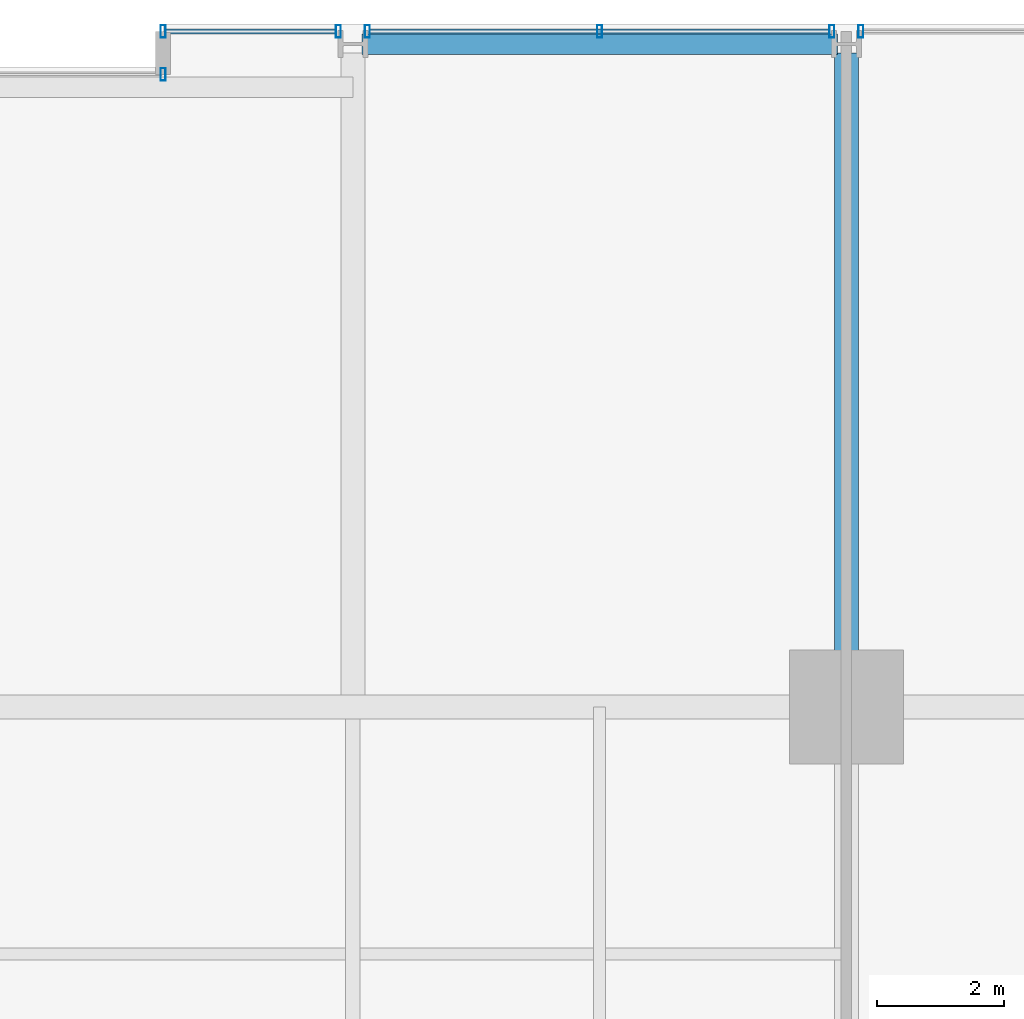
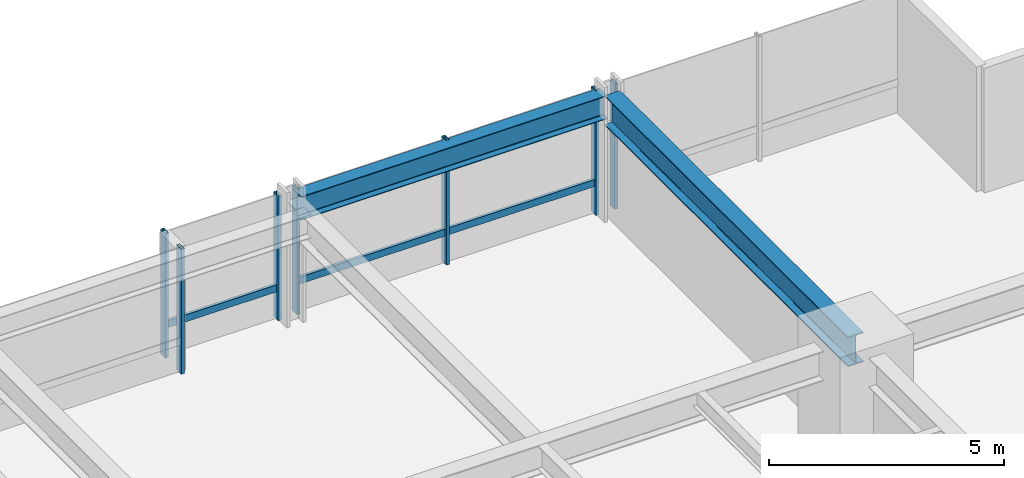
# One storey, part 27 of 37: 9 members, 2 beams, 4 elements without a shape of their own.
"""IFC4 building model written with IfcOpenShell, lengths in metres."""

from ifc_helpers import new_model, si_unit, direction, frame, origin, origin_2d, place, context, subcontext, project, spatial, hollow_rectangle, i_section, extrude, material, layer, layer_set, material_profile, profile_set, type_object, element, aggregate, save


model = new_model("IFC4")

# Units and contexts
model_context = context("Model", 3, precision=1e-05, world=origin(), true_north=direction((0.0, 1.0)))
body_context = subcontext(model_context, "Body", "Model", "MODEL_VIEW")
ifc_project = project(units=[si_unit("LENGTHUNIT", "METRE"), si_unit("AREAUNIT", "SQUARE_METRE"), si_unit("VOLUMEUNIT", "CUBIC_METRE"), si_unit("PLANEANGLEUNIT", "RADIAN"), si_unit("MASSUNIT", "GRAM", prefix="KILO")], contexts=[model_context])

# Site, building, storey
site_placement = place(None, origin())
site = spatial("IfcSite", under=ifc_project, at=site_placement, CompositionType="ELEMENT")
building_placement = place(site_placement, origin())
building = spatial("IfcBuilding", under=site, at=building_placement, Name="Drelvath Grand Hotel", CompositionType="ELEMENT")
storey_placement = place(building_placement, frame((0.0, 0.0, 75.199951171875)))
storey = spatial("IfcBuildingStorey", under=building, at=storey_placement, Name="L18", CompositionType="ELEMENT", Elevation=75.199951171875)

# Curtain wall, member
ifc_material_1 = material(Name="Warm Bronze Anodised Aluminium Frame", Category="aluminium")
ifc_layer = layer(ifc_material_1, 0.199951171875)
ifc_layer_set = layer_set([ifc_layer], Name="Warm Bronze Anodised Aluminium Frame")
curtain_wall_type = type_object("IfcCurtainWallType", Name="Stick Curtain Wall CW-02 Warm Bronze Low-Rise", PredefinedType="NOTDEFINED", material=ifc_layer_set)
curtain_wall_1_placement = place(storey_placement, origin())
curtain_wall_1 = element("IfcCurtainWall", 1, at=curtain_wall_1_placement, inside=storey, type_object=curtain_wall_type, Name="L18 CW-02 Curtain Wall CW02-L18-NE1", PredefinedType="NOTDEFINED")
ifc_material_profile_1 = material_profile(ifc_material_1, hollow_rectangle(XDim=0.074951171875, YDim=0.179931640625, WallThickness=0.0048828125, at=origin_2d()), Name="HSS180X75X5")
ifc_profile_set_1 = profile_set([ifc_material_profile_1], Name="Warm Bronze Anodised Aluminium Frame")
member_type_1 = type_object("IfcMemberType", Name="Curtain Wall Horizontal Transom CW-02 HSS180X75X5", PredefinedType="USERDEFINED", material=ifc_profile_set_1)
member_1_placement = place(storey_placement, frame((5.43994140625, 53.8798828125, 0.81005859375), z_axis=(1.0, 0.0, 0.0), x_axis=(0.0, 1.0, 0.0)))
member_1 = element("IfcMember", 2, at=member_1_placement, type_object=member_type_1, Name="CW02-L18-NE1 Sill Transom", ObjectType="TRANSOM", PredefinedType="USERDEFINED", context=body_context, shape_type="SweptSolid", body=[
    extrude(hollow_rectangle(XDim=0.074951171875, YDim=0.179931640625, WallThickness=0.0048828125, at=origin_2d()), origin(), (0.0, 0.0, 1.0), 2.69091796875),
])

curtain_wall_2_placement = place(storey_placement, origin())
curtain_wall_2 = element("IfcCurtainWall", 3, at=curtain_wall_2_placement, inside=storey, type_object=curtain_wall_type, Name="L18 CW-02 Curtain Wall CW02-L18-NE2", PredefinedType="NOTDEFINED")
member_2_placement = place(storey_placement, frame((8.669189453125, 53.8798828125, 0.81005859375), z_axis=(1.0, 0.0, 0.0), x_axis=(0.0, 1.0, 0.0)))
member_2 = element("IfcMember", 4, at=member_2_placement, type_object=member_type_1, Name="CW02-L18-NE2 Sill Transom", ObjectType="TRANSOM", PredefinedType="USERDEFINED", context=body_context, shape_type="SweptSolid", body=[
    extrude(hollow_rectangle(XDim=0.074951171875, YDim=0.179931640625, WallThickness=0.0048828125, at=origin_2d()), origin(), (0.0, 0.0, 1.0), 7.26171875),
])

curtain_wall_3_placement = place(storey_placement, origin())
curtain_wall_3 = element("IfcCurtainWall", 5, at=curtain_wall_3_placement, inside=storey, type_object=curtain_wall_type, Name="L18 CW-02 Curtain Wall CW02-L18-NM2", PredefinedType="NOTDEFINED")
ifc_material_profile_2 = material_profile(ifc_material_1, hollow_rectangle(XDim=0.080078125, YDim=0.199951171875, WallThickness=0.0048828125, at=origin_2d()), Name="HSS200X80X5")
ifc_profile_set_2 = profile_set([ifc_material_profile_2], Name="Warm Bronze Anodised Aluminium Frame")
member_type_2 = type_object("IfcMemberType", Name="Curtain Wall Vertical Mullion CW-02 HSS200X80X5", PredefinedType="MULLION", material=ifc_profile_set_2)
member_3_placement = place(storey_placement, frame((5.39990234375, 53.199951171875, 0.0), z_axis=(0.0, 0.0, 1.0), x_axis=(1.0, 0.0, 0.0)))
member_3 = element("IfcMember", 6, at=member_3_placement, type_object=member_type_2, Name="CW02-L18-NM2 Mullion 2", PredefinedType="MULLION", context=body_context, shape_type="SweptSolid", body=[
    extrude(hollow_rectangle(XDim=0.080078125, YDim=0.199951171875, WallThickness=0.0048828125, at=origin_2d()), origin(), (0.0, 0.0, 1.0), 3.239990234375),
])
aggregate(curtain_wall_3, [member_3])

# Member
member_4_placement = place(storey_placement, frame((5.39990234375, 53.8798828125, 0.0), z_axis=(0.0, 0.0, 1.0), x_axis=(1.0, 0.0, 0.0)))
member_4 = element("IfcMember", 7, at=member_4_placement, type_object=member_type_2, Name="CW02-L18-NE1 Mullion 1", PredefinedType="MULLION", context=body_context, shape_type="SweptSolid", body=[
    extrude(hollow_rectangle(XDim=0.080078125, YDim=0.199951171875, WallThickness=0.0048828125, at=origin_2d()), origin(), (0.0, 0.0, 1.0), 3.239990234375),
])

member_5_placement = place(storey_placement, frame((8.1708984375, 53.8798828125, 0.0), z_axis=(0.0, 0.0, 1.0), x_axis=(1.0, 0.0, 0.0)))
member_5 = element("IfcMember", 8, at=member_5_placement, type_object=member_type_2, Name="CW02-L18-NE1 Mullion 2", PredefinedType="MULLION", context=body_context, shape_type="SweptSolid", body=[
    extrude(hollow_rectangle(XDim=0.080078125, YDim=0.199951171875, WallThickness=0.0048828125, at=origin_2d()), origin(), (0.0, 0.0, 1.0), 3.239990234375),
])

aggregate(curtain_wall_1, [member_4, member_5, member_1])

member_6_placement = place(storey_placement, frame((8.629150390625, 53.8798828125, 0.0), z_axis=(0.0, 0.0, 1.0), x_axis=(1.0, 0.0, 0.0)))
member_6 = element("IfcMember", 9, at=member_6_placement, type_object=member_type_2, Name="CW02-L18-NE2 Mullion 1", PredefinedType="MULLION", context=body_context, shape_type="SweptSolid", body=[
    extrude(hollow_rectangle(XDim=0.080078125, YDim=0.199951171875, WallThickness=0.0048828125, at=origin_2d()), origin(), (0.0, 0.0, 1.0), 3.239990234375),
])

member_7_placement = place(storey_placement, frame((12.300048828125, 53.8798828125, 0.0), z_axis=(0.0, 0.0, 1.0), x_axis=(1.0, 0.0, 0.0)))
member_7 = element("IfcMember", 10, at=member_7_placement, type_object=member_type_2, Name="CW02-L18-NE2 Mullion 2", PredefinedType="MULLION", context=body_context, shape_type="SweptSolid", body=[
    extrude(hollow_rectangle(XDim=0.080078125, YDim=0.199951171875, WallThickness=0.0048828125, at=origin_2d()), origin(), (0.0, 0.0, 1.0), 3.239990234375),
])

member_8_placement = place(storey_placement, frame((15.970947265625, 53.8798828125, 0.0), z_axis=(0.0, 0.0, 1.0), x_axis=(1.0, 0.0, 0.0)))
member_8 = element("IfcMember", 11, at=member_8_placement, type_object=member_type_2, Name="CW02-L18-NE2 Mullion 3", PredefinedType="MULLION", context=body_context, shape_type="SweptSolid", body=[
    extrude(hollow_rectangle(XDim=0.080078125, YDim=0.199951171875, WallThickness=0.0048828125, at=origin_2d()), origin(), (0.0, 0.0, 1.0), 3.239990234375),
])

aggregate(curtain_wall_2, [member_6, member_7, member_8, member_2])

# Curtain wall, member
curtain_wall_4_placement = place(storey_placement, origin())
curtain_wall_4 = element("IfcCurtainWall", 12, at=curtain_wall_4_placement, inside=storey, type_object=curtain_wall_type, Name="L18 CW-02 Curtain Wall CW02-L18-NE3", PredefinedType="NOTDEFINED")
member_9_placement = place(storey_placement, frame((16.42919921875, 53.8798828125, 0.0), z_axis=(0.0, 0.0, 1.0), x_axis=(1.0, 0.0, 0.0)))
member_9 = element("IfcMember", 13, at=member_9_placement, type_object=member_type_2, Name="CW02-L18-NE3 Mullion 1", PredefinedType="MULLION", context=body_context, shape_type="SweptSolid", body=[
    extrude(hollow_rectangle(XDim=0.080078125, YDim=0.199951171875, WallThickness=0.0048828125, at=origin_2d()), origin(), (0.0, 0.0, 1.0), 3.239990234375),
])
aggregate(curtain_wall_4, [member_9])

# Beams
ifc_material_2 = material(Name="Steel ASTM A992 Gr 50", Category="steel")
ifc_material_profile_3 = material_profile(ifc_material_2, i_section(OverallWidth=0.323974609375, OverallDepth=0.611083984375, WebThickness=0.0126953125, FlangeThickness=0.01904296875, FilletRadius=0.02197265625, at=origin_2d()), Name="W24X104")
ifc_profile_set_3 = profile_set([ifc_material_profile_3], Name="Steel ASTM A992 Gr 50")
beam_type_1 = type_object("IfcBeamType", Name="Perimeter Spandrel Beam W24X104", PredefinedType="SPANDREL", material=ifc_profile_set_3)
beam_1_placement = place(storey_placement, frame((8.5400390625, 53.679931640625, 2.9345703125), z_axis=(1.0, 0.0, 0.0), x_axis=(0.0, 1.0, 0.0)))
element("IfcBeam", 14, at=beam_1_placement, inside=storey, type_object=beam_type_1, Name="L18 Spandrel North E", PredefinedType="SPANDREL", context=body_context, shape_type="SweptSolid", body=[
    extrude(i_section(OverallWidth=0.323974609375, OverallDepth=0.611083984375, WebThickness=0.0126953125, FlangeThickness=0.01904296875, FilletRadius=0.02197265625, at=origin_2d()), origin(), (0.0, 0.0, 1.0), 7.52001953125),
])
ifc_material_profile_4 = material_profile(ifc_material_2, i_section(OverallWidth=0.380615234375, OverallDepth=0.773193359375, WebThickness=0.0166015625, FlangeThickness=0.027099609375, FilletRadius=0.02490234375, at=origin_2d()), Name="W30X173")
ifc_profile_set_4 = profile_set([ifc_material_profile_4], Name="Steel ASTM A992 Gr 50")
beam_type_2 = type_object("IfcBeamType", Name="Primary Floor Girder W30X173", PredefinedType="BEAM", material=ifc_profile_set_4)
beam_2_placement = place(storey_placement, frame((16.199951171875, 43.199951171875, 2.853515625), z_axis=(0.0, 1.0, 0.0), x_axis=(-1.0, 0.0, 0.0)))
element("IfcBeam", 15, at=beam_2_placement, inside=storey, type_object=beam_type_2, Name="L18 North Grid Girder 7", PredefinedType="BEAM", context=body_context, shape_type="SweptSolid", body=[
    extrude(i_section(OverallWidth=0.380615234375, OverallDepth=0.773193359375, WebThickness=0.0166015625, FlangeThickness=0.027099609375, FilletRadius=0.02490234375, at=origin_2d()), origin(), (0.0, 0.0, 1.0), 10.340087890625),
])

save(model, "model.ifc")
